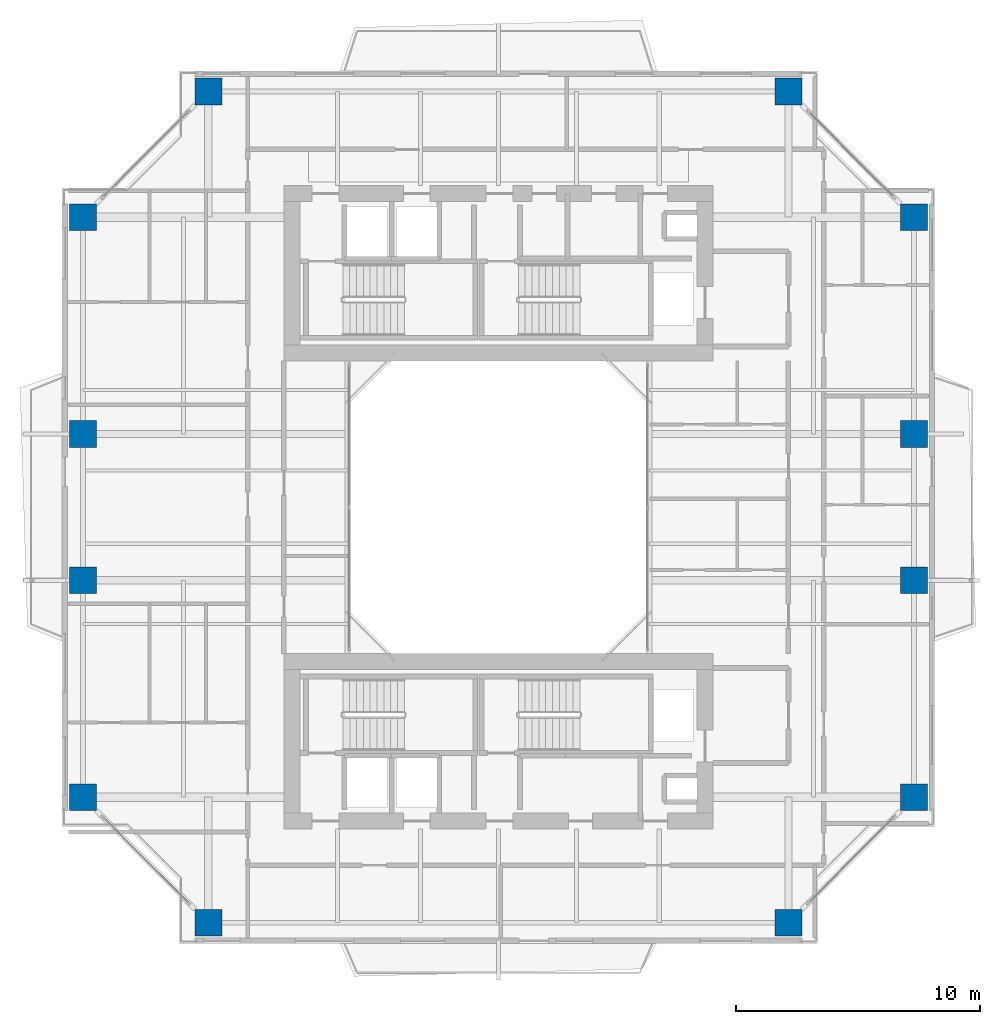
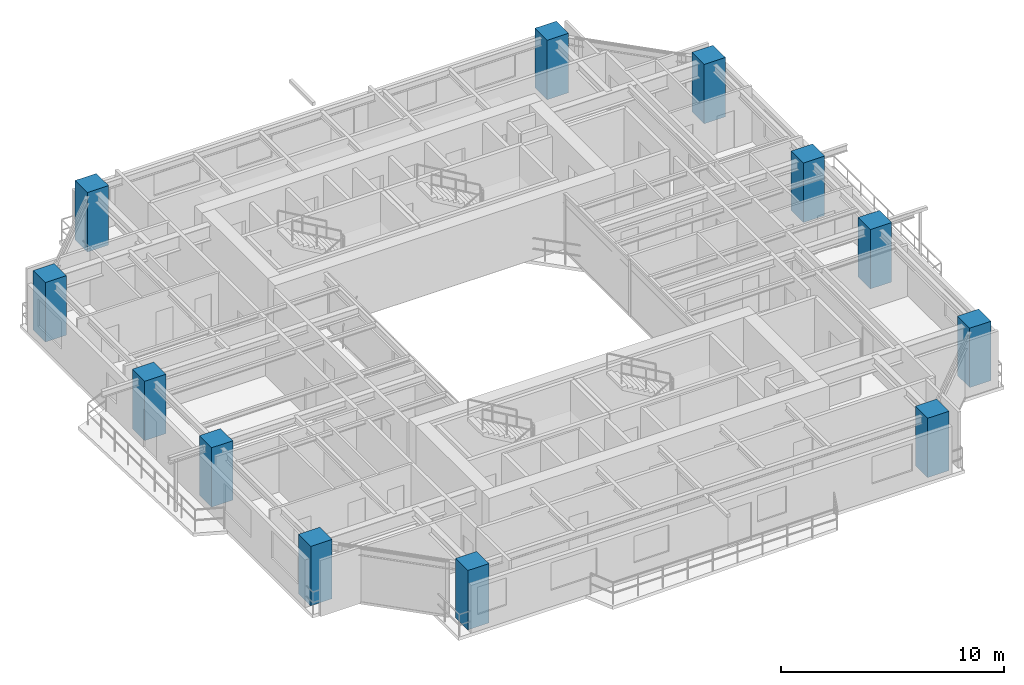
# One storey, part 1 of 17: 12 columns.
"""IFC4 building model written with IfcOpenShell, lengths in metres."""

from ifc_helpers import new_model, si_unit, direction, frame, origin, origin_2d, place, context, subcontext, project, spatial, rectangle, extrude, source, transform, mapped, material, material_profile, profile_set, type_object, element, save


model = new_model("IFC4")

# Units and contexts
model_context = context("Model", 3, precision=1e-05, world=origin(), true_north=direction((0.0, 1.0)))
body_context = subcontext(model_context, "Body", "Model", "MODEL_VIEW")
ifc_project = project(units=[si_unit("LENGTHUNIT", "METRE"), si_unit("AREAUNIT", "SQUARE_METRE"), si_unit("VOLUMEUNIT", "CUBIC_METRE"), si_unit("PLANEANGLEUNIT", "RADIAN"), si_unit("MASSUNIT", "GRAM", prefix="KILO"), si_unit("THERMODYNAMICTEMPERATUREUNIT", "KELVIN"), si_unit("POWERUNIT", "WATT")], contexts=[model_context])

# Site, building, storey
site_placement = place(None, origin())
site = spatial("IfcSite", under=ifc_project, at=site_placement, CompositionType="ELEMENT")
building_placement = place(site_placement, origin())
building = spatial("IfcBuilding", under=site, at=building_placement, Name="Qiaomeng Ring Towers", CompositionType="ELEMENT")
storey_placement = place(building_placement, frame((0.0, 0.0, 126.25)))
storey = spatial("IfcBuildingStorey", under=building, at=storey_placement, Name="L36", CompositionType="ELEMENT", Elevation=126.25)

# Columns
ifc_material = material(Name="Concrete C55", Category="concrete")
ifc_material_profile = material_profile(ifc_material, rectangle(XDim=1.10009765625, YDim=1.10009765625, at=origin_2d()), Name="RC COL 1100x1100")
ifc_profile_set = profile_set([ifc_material_profile], Name="Concrete C55")
column_type = type_object("IfcColumnType", Name="STR-COL-1100-C55", PredefinedType="COLUMN", material=ifc_profile_set)
shared_shape = source(origin(), body_context, "Body", "SweptSolid", [
    extrude(rectangle(XDim=1.10009765625, YDim=1.10009765625, at=origin_2d()), origin(), (0.0, 0.0, 1.0), 3.25),
])
for number, where, z_axis, x_axis, name in (
    (1, (7.10009765625, 5.949951171875, 0.0), (0.0, 0.0, 1.0), (1.0, 0.0, 0.0), "L36 column STR-COL-L36-T1-S1"),
    (2, (30.89990234375, 5.949951171875, 0.0), (0.0, 0.0, 1.0), (1.0, 0.0, 0.0), "L36 column STR-COL-L36-T1-S2"),
    (3, (36.050048828125, 11.10009765625, 0.0), (0.0, 0.0, 1.0), (1.0, 0.0, 0.0), "L36 column STR-COL-L36-T1-E1"),
    (4, (36.050048828125, 20.0, 0.0), (0.0, 0.0, 1.0), (1.0, 0.0, 0.0), "L36 column STR-COL-L36-T1-E2"),
    (5, (36.050048828125, 26.0, 0.0), (0.0, 0.0, 1.0), (1.0, 0.0, 0.0), "L36 column STR-COL-L36-T1-E3"),
    (6, (36.050048828125, 34.89990234375, 0.0), (0.0, 0.0, 1.0), (1.0, 0.0, 0.0), "L36 column STR-COL-L36-T1-E4"),
    (7, (30.89990234375, 40.050048828125, 0.0), (0.0, 0.0, 1.0), (1.0, 0.0, 0.0), "L36 column STR-COL-L36-T1-N2"),
    (8, (7.10009765625, 40.050048828125, 0.0), (0.0, 0.0, 1.0), (1.0, 0.0, 0.0), "L36 column STR-COL-L36-T1-N1"),
    (9, (1.949951171875, 34.89990234375, 0.0), (0.0, 0.0, 1.0), (1.0, 0.0, 0.0), "L36 column STR-COL-L36-T1-W4"),
    (10, (1.949951171875, 26.0, 0.0), (0.0, 0.0, 1.0), (1.0, 0.0, 0.0), "L36 column STR-COL-L36-T1-W3"),
    (11, (1.949951171875, 20.0, 0.0), (0.0, 0.0, 1.0), (1.0, 0.0, 0.0), "L36 column STR-COL-L36-T1-W2"),
    (12, (1.949951171875, 11.10009765625, 0.0), (0.0, 0.0, 1.0), (1.0, 0.0, 0.0), "L36 column STR-COL-L36-T1-W1"),
):
    element("IfcColumn", number, at=place(storey_placement, frame(where, z_axis=z_axis, x_axis=x_axis)), inside=storey, type_object=column_type, Name=name, PredefinedType="COLUMN", context=body_context, shape_type="MappedRepresentation", body=[
        mapped(shared_shape, transform((0.0, 0.0, 0.0), x_axis=(1.0, 0.0, 0.0), y_axis=(0.0, 1.0, 0.0), z_axis=(0.0, 0.0, 1.0), scale=1.0)),
    ])

save(model, "model.ifc")
